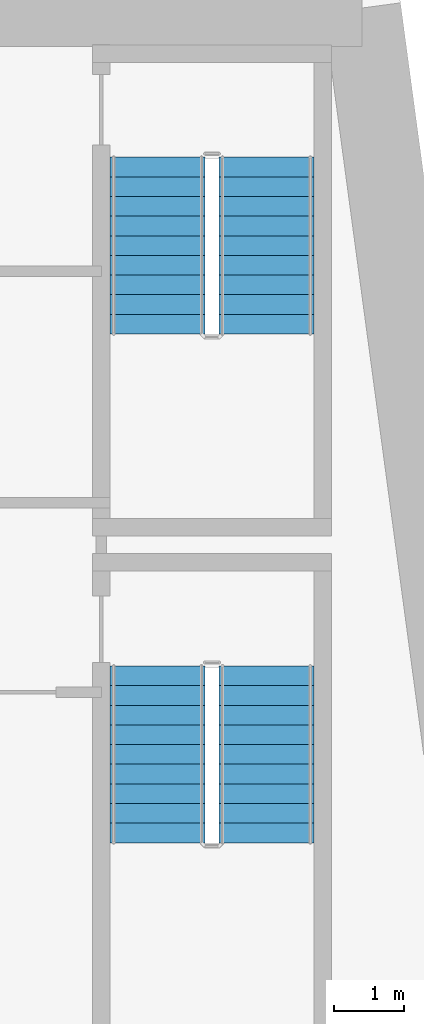
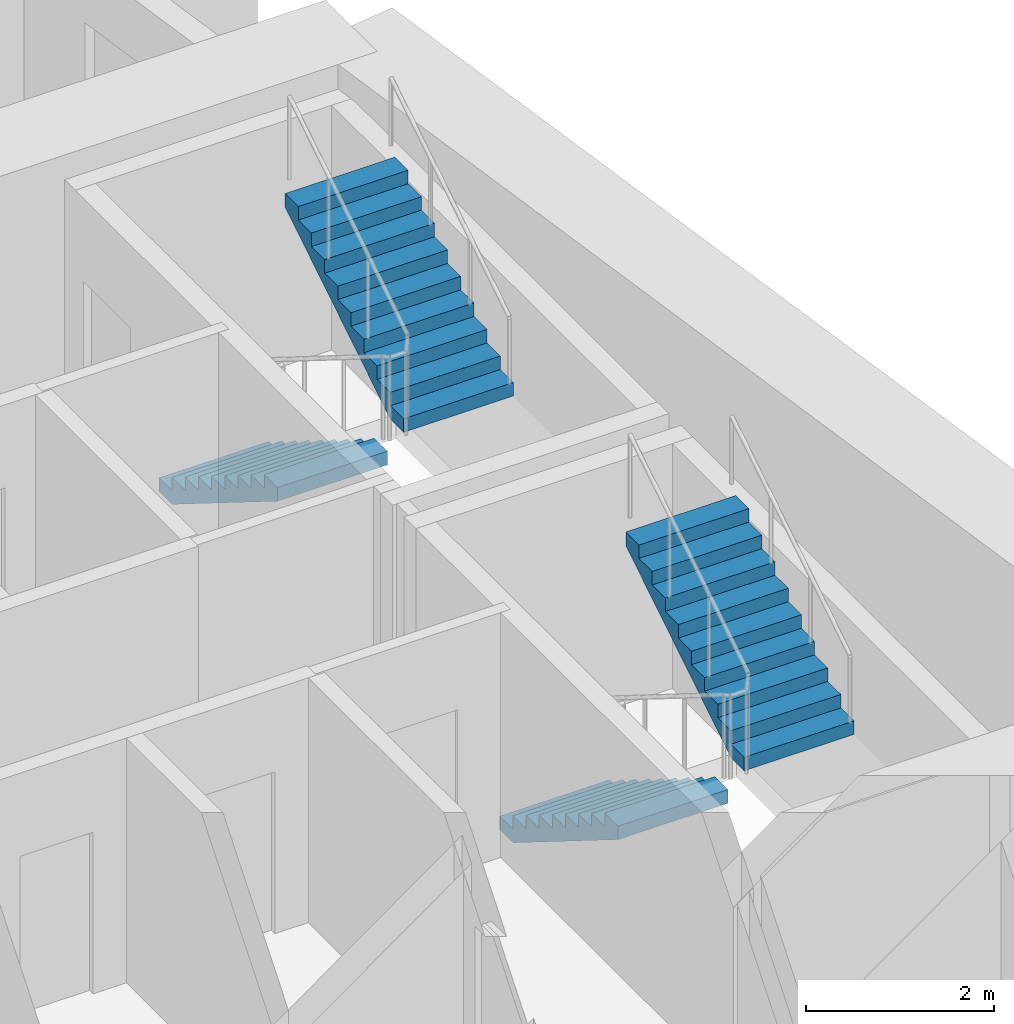
# One storey, part 8 of 13: 4 stair flights, 2 elements without a shape of their own.
"""IFC4 building model written with IfcOpenShell, lengths in metres."""

from ifc_helpers import new_model, si_unit, direction, frame, origin, place, context, subcontext, project, spatial, polyline, outline, extrude, material, type_object, element, aggregate, save


model = new_model("IFC4")

# Units and contexts
model_context = context("Model", 3, precision=1e-05, world=origin(), true_north=direction((0.0, 1.0)))
body_context = subcontext(model_context, "Body", "Model", "MODEL_VIEW")
ifc_project = project(units=[si_unit("LENGTHUNIT", "METRE"), si_unit("AREAUNIT", "SQUARE_METRE"), si_unit("VOLUMEUNIT", "CUBIC_METRE"), si_unit("PLANEANGLEUNIT", "RADIAN"), si_unit("MASSUNIT", "GRAM", prefix="KILO")], contexts=[model_context])

# Site, building, storey
site_placement = place(None, origin())
site = spatial("IfcSite", under=ifc_project, at=site_placement, CompositionType="ELEMENT")
building_placement = place(site_placement, origin())
building = spatial("IfcBuilding", under=site, at=building_placement, Name="Candeia Pilgrim Tower and Theatre", CompositionType="ELEMENT")
storey_placement = place(building_placement, frame((0.0, 0.0, 60.0)))
storey = spatial("IfcBuildingStorey", under=building, at=storey_placement, Name="L12", CompositionType="ELEMENT", Elevation=60.0)

# Stair, stair flights
ifc_material = material(Name="Concrete C40/50", Category="concrete")
stair_type = type_object("IfcStairType", Name="ST-TWR dog-leg escape stair", PredefinedType="HALF_TURN_STAIR", material=ifc_material)
stair_1_placement = place(storey_placement, origin())
stair_1 = element("IfcStair", 1, at=stair_1_placement, inside=storey, type_object=stair_type, Name="L12 Escape stair ST3", PredefinedType="HALF_TURN_STAIR")
stair_flight_type = type_object("IfcStairFlightType", Name="SFL-RC stair flight", PredefinedType="STRAIGHT", material=ifc_material)
stair_flight_1_placement = place(storey_placement, frame((134.77294921875, 122.47509765625, 0.0), z_axis=(0.0, 0.0, 1.0), x_axis=(0.0, -1.0, 0.0)))
stair_flight_1 = element("IfcStairFlight", 2, at=stair_flight_1_placement, type_object=stair_flight_type, Name="ST3 flight 1", NumberOfRisers=10, NumberOfTreads=9, PredefinedType="STRAIGHT", RiserHeight=0.175, TreadLength=0.28, context=body_context, shape_type="SweptSolid", body=[
    extrude(outline(polyline([(0.0, 0.0), (0.0, 0.175048828125), (0.280029296875, 0.175048828125), (0.280029296875, 0.35009765625), (0.56005859375, 0.35009765625), (0.56005859375, 0.52490234375), (0.840087890625, 0.52490234375), (0.840087890625, 0.699951171875), (1.1201171875, 0.699951171875), (1.1201171875, 0.875), (1.39990234375, 0.875), (1.39990234375, 1.050048828125), (1.679931640625, 1.050048828125), (1.679931640625, 1.22509765625), (1.9599609375, 1.22509765625), (1.9599609375, 1.39990234375), (2.239990234375, 1.39990234375), (2.239990234375, 1.574951171875), (2.52001953125, 1.574951171875), (2.52001953125, 1.75), (2.52001953125, 1.398193359375), (0.28271484375, 0.0), (0.0, 0.0)])), frame((0.0, 0.675048828125, 0.0), z_axis=(0.0, -1.0, 0.0), x_axis=(1.0, 0.0, 0.0)), (0.0, 0.0, 1.0), 1.35009765625),
])
stair_flight_2_placement = place(storey_placement, frame((136.322998046875, 119.955078125, 1.75), z_axis=(0.0, 0.0, 1.0), x_axis=(0.0, 1.0, 0.0)))
stair_flight_2 = element("IfcStairFlight", 3, at=stair_flight_2_placement, type_object=stair_flight_type, Name="ST3 flight 2", NumberOfRisers=10, NumberOfTreads=9, PredefinedType="STRAIGHT", RiserHeight=0.175, TreadLength=0.28, context=body_context, shape_type="SweptSolid", body=[
    extrude(outline(polyline([(0.0, 0.0), (0.0, 0.175048828125), (0.280029296875, 0.175048828125), (0.280029296875, 0.35009765625), (0.56005859375, 0.35009765625), (0.56005859375, 0.52490234375), (0.840087890625, 0.52490234375), (0.840087890625, 0.699951171875), (1.1201171875, 0.699951171875), (1.1201171875, 0.875), (1.39990234375, 0.875), (1.39990234375, 1.050048828125), (1.679931640625, 1.050048828125), (1.679931640625, 1.22509765625), (1.9599609375, 1.22509765625), (1.9599609375, 1.39990234375), (2.239990234375, 1.39990234375), (2.239990234375, 1.574951171875), (2.52001953125, 1.574951171875), (2.52001953125, 1.75), (2.52001953125, 1.398193359375), (0.28271484375, 0.0), (0.0, 0.0)])), frame((0.0, 0.675048828125, 0.0), z_axis=(0.0, -1.0, 0.0), x_axis=(1.0, 0.0, 0.0)), (0.0, 0.0, 1.0), 1.35009765625),
])
aggregate(stair_1, [stair_flight_1, stair_flight_2])

stair_2_placement = place(storey_placement, origin())
stair_2 = element("IfcStair", 4, at=stair_2_placement, inside=storey, type_object=stair_type, Name="L12 Escape stair ST4", PredefinedType="HALF_TURN_STAIR")
stair_flight_3_placement = place(storey_placement, frame((134.77294921875, 129.72509765625, 0.0), z_axis=(0.0, 0.0, 1.0), x_axis=(0.0, -1.0, 0.0)))
stair_flight_3 = element("IfcStairFlight", 5, at=stair_flight_3_placement, type_object=stair_flight_type, Name="ST4 flight 1", NumberOfRisers=10, NumberOfTreads=9, PredefinedType="STRAIGHT", RiserHeight=0.175, TreadLength=0.28, context=body_context, shape_type="SweptSolid", body=[
    extrude(outline(polyline([(0.0, 0.0), (0.0, 0.175048828125), (0.280029296875, 0.175048828125), (0.280029296875, 0.35009765625), (0.56005859375, 0.35009765625), (0.56005859375, 0.52490234375), (0.840087890625, 0.52490234375), (0.840087890625, 0.699951171875), (1.1201171875, 0.699951171875), (1.1201171875, 0.875), (1.39990234375, 0.875), (1.39990234375, 1.050048828125), (1.679931640625, 1.050048828125), (1.679931640625, 1.22509765625), (1.9599609375, 1.22509765625), (1.9599609375, 1.39990234375), (2.239990234375, 1.39990234375), (2.239990234375, 1.574951171875), (2.52001953125, 1.574951171875), (2.52001953125, 1.75), (2.52001953125, 1.398193359375), (0.28271484375, 0.0), (0.0, 0.0)])), frame((0.0, 0.675048828125, 0.0), z_axis=(0.0, -1.0, 0.0), x_axis=(1.0, 0.0, 0.0)), (0.0, 0.0, 1.0), 1.35009765625),
])
stair_flight_4_placement = place(storey_placement, frame((136.322998046875, 127.205078125, 1.75), z_axis=(0.0, 0.0, 1.0), x_axis=(0.0, 1.0, 0.0)))
stair_flight_4 = element("IfcStairFlight", 6, at=stair_flight_4_placement, type_object=stair_flight_type, Name="ST4 flight 2", NumberOfRisers=10, NumberOfTreads=9, PredefinedType="STRAIGHT", RiserHeight=0.175, TreadLength=0.28, context=body_context, shape_type="SweptSolid", body=[
    extrude(outline(polyline([(0.0, 0.0), (0.0, 0.175048828125), (0.280029296875, 0.175048828125), (0.280029296875, 0.35009765625), (0.56005859375, 0.35009765625), (0.56005859375, 0.52490234375), (0.840087890625, 0.52490234375), (0.840087890625, 0.699951171875), (1.1201171875, 0.699951171875), (1.1201171875, 0.875), (1.39990234375, 0.875), (1.39990234375, 1.050048828125), (1.679931640625, 1.050048828125), (1.679931640625, 1.22509765625), (1.9599609375, 1.22509765625), (1.9599609375, 1.39990234375), (2.239990234375, 1.39990234375), (2.239990234375, 1.574951171875), (2.52001953125, 1.574951171875), (2.52001953125, 1.75), (2.52001953125, 1.398193359375), (0.28271484375, 0.0), (0.0, 0.0)])), frame((0.0, 0.675048828125, 0.0), z_axis=(0.0, -1.0, 0.0), x_axis=(1.0, 0.0, 0.0)), (0.0, 0.0, 1.0), 1.35009765625),
])
aggregate(stair_2, [stair_flight_3, stair_flight_4])

save(model, "model.ifc")
